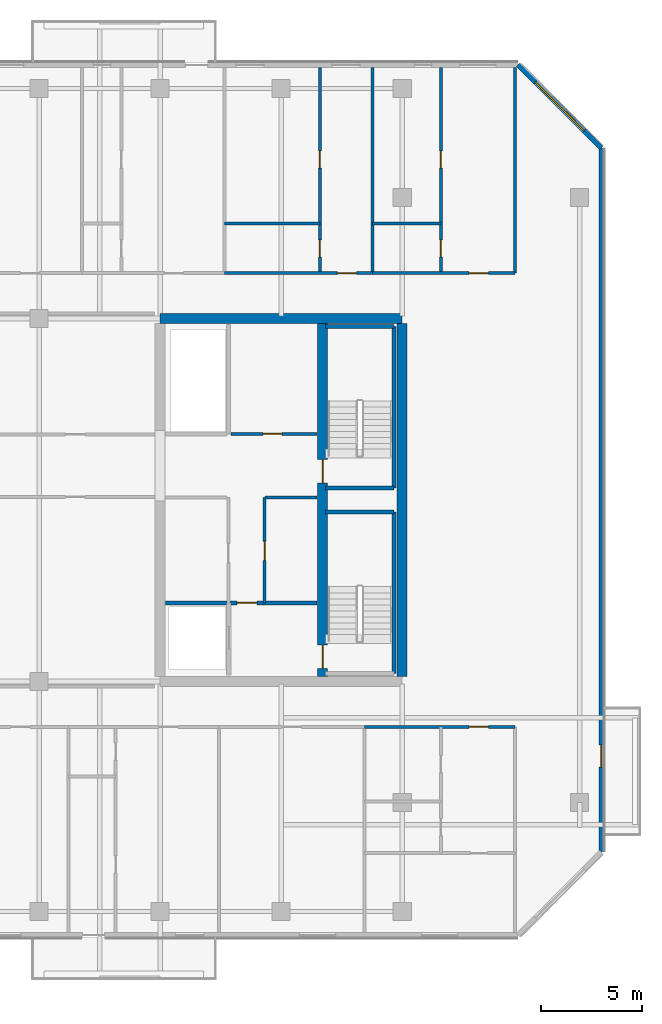
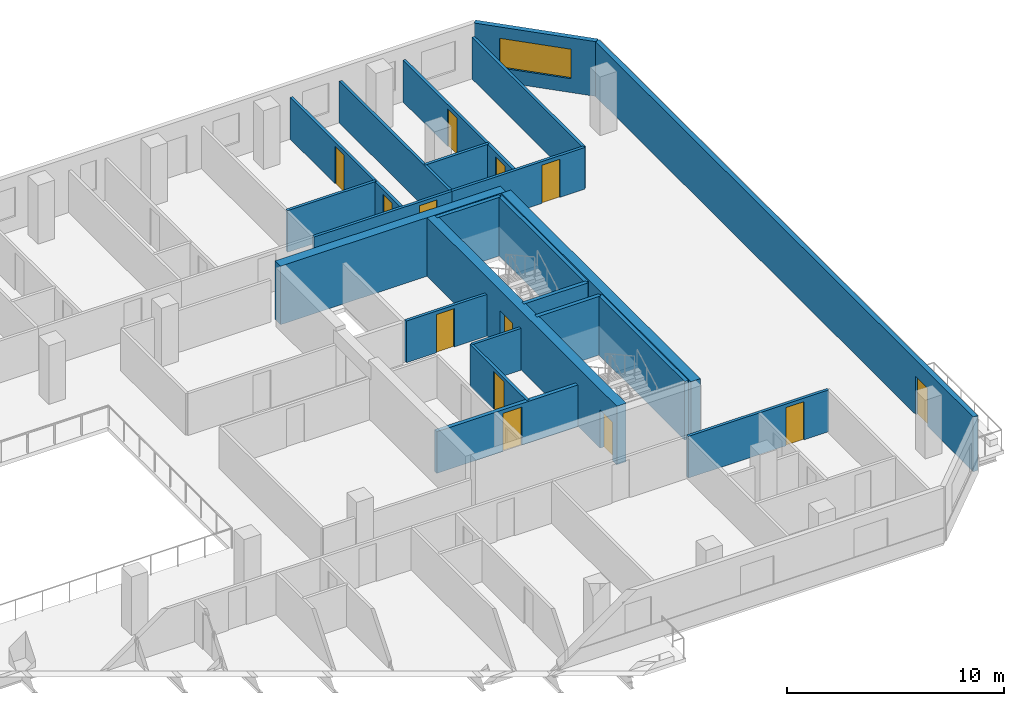
# One storey, part 14 of 19: 23 walls, 13 doors, 1 window, 14 openings.
"""IFC4 building model written with IfcOpenShell, lengths in metres."""

import ifcopenshell
import ifcopenshell.guid

model = None  # the IFC model being written
_history = None  # IfcOwnerHistory: only IFC2X3 demands one
_inside = {}  # id of a spatial element -> (the spatial element, [elements in it])
_under = {}  # id of a project, library or spatial element -> (it, [spatial elements below it])
_declared = {}  # id of a project -> (the project, [libraries it declares])
_typed = {}  # id of a type object -> (the type object, [elements of that type])
_made_of = {}  # id of a material, layer set ... -> (it, [elements and type objects made of it])


def new_model(schema):
    """Start an empty IFC model of exactly this schema.

    Asked for "IFC4X3", IfcOpenShell would pick the latest addendum, in which some entities
    have other attributes; the version numbers below select the first issue.
    IFC2X3 requires an IfcOwnerHistory on every rooted entity: one is made here for all.
    """
    global model, _history
    if schema == "IFC4X3":
        model = ifcopenshell.file(schema_version=(4, 3, 0, 0))
    else:
        model = ifcopenshell.file(schema=schema)
    _inside.clear()
    _under.clear()
    _declared.clear()
    _typed.clear()
    _made_of.clear()
    _history = None
    if model.schema == "IFC2X3":
        org = make("IfcOrganization", Name="unknown")
        user = make(
            "IfcPersonAndOrganization",
            ThePerson=make("IfcPerson", FamilyName="unknown"),
            TheOrganization=org,
        )
        app = make(
            "IfcApplication",
            ApplicationDeveloper=org,
            Version="unknown",
            ApplicationFullName="unknown",
            ApplicationIdentifier="unknown",
        )
        _history = make(
            "IfcOwnerHistory",
            OwningUser=user,
            OwningApplication=app,
            ChangeAction="ADDED",
            CreationDate=0,
        )
    return model


def make(cls, **values):
    """One entity of the class cls with the attributes given. An attribute that is None is left unset."""
    return model.create_entity(
        cls, **{name: value for name, value in values.items() if value is not None}
    )


def rooted(cls, **values):
    """An entity with a GlobalId (a new one), such as an element, a storey or a relation."""
    return make(cls, GlobalId=ifcopenshell.guid.new(), OwnerHistory=_history, **values)


def si_unit(unit_type, name, prefix=None):
    """IfcSIUnit, for example si_unit("LENGTHUNIT", "METRE", prefix="MILLI")."""
    return make("IfcSIUnit", UnitType=unit_type, Prefix=prefix, Name=name)


def assignment(units):
    """IfcUnitAssignment: the units of a project."""
    return None if units is None else make("IfcUnitAssignment", Units=units)


def point(xyz):
    """IfcCartesianPoint."""
    return None if xyz is None else make("IfcCartesianPoint", Coordinates=xyz)


def direction(xyz):
    """IfcDirection."""
    return None if xyz is None else make("IfcDirection", DirectionRatios=xyz)


def frame(location, z_axis=None, x_axis=None):
    """IfcAxis2Placement3D, a coordinate frame: its origin and axes. An axis left out is left unset."""
    return make(
        "IfcAxis2Placement3D",
        Location=point(location),
        Axis=direction(z_axis),
        RefDirection=direction(x_axis),
    )


def frame_2d(location, x_axis=None):
    """IfcAxis2Placement2D, a coordinate frame in the plane: its origin and x axis."""
    return make(
        "IfcAxis2Placement2D", Location=point(location), RefDirection=direction(x_axis)
    )


def origin():
    """The frame at (0, 0, 0) with its axes left unset."""
    return frame((0.0, 0.0, 0.0))


def place(relative_to, where):
    """IfcLocalPlacement: puts the frame where relative to a parent placement (None: the world)."""
    return make(
        "IfcLocalPlacement", PlacementRelTo=relative_to, RelativePlacement=where
    )


def context(
    kind, dimensions, precision=None, world=None, true_north=None, identifier=None
):
    """IfcGeometricRepresentationContext, for example the 3D "Model" context."""
    return make(
        "IfcGeometricRepresentationContext",
        ContextIdentifier=identifier,
        ContextType=kind,
        CoordinateSpaceDimension=dimensions,
        Precision=precision,
        WorldCoordinateSystem=world,
        TrueNorth=true_north,
    )


def subcontext(parent, identifier, kind, view, scale=None):
    """IfcGeometricRepresentationSubContext, for example "Body" below "Model"."""
    return make(
        "IfcGeometricRepresentationSubContext",
        ContextIdentifier=identifier,
        ContextType=kind,
        ParentContext=parent,
        TargetScale=scale,
        TargetView=view,
    )


def project(units=None, contexts=None):
    """IfcProject with its units and contexts."""
    return rooted(
        "IfcProject",
        Name="project",
        RepresentationContexts=contexts,
        UnitsInContext=assignment(units),
    )


def spatial(cls, under=None, at=None, **own):
    """A site, building, storey or space (cls), placed at a placement, below another one or the project."""
    s = rooted(cls, ObjectPlacement=at, **own)
    if under is not None:
        _under.setdefault(under.id(), (under, []))[1].append(s)
    return s


def profile(cls, at=None, kind="AREA", **sizes):
    """A parametric profile (cls). Its sizes go by their IFC names, for example OverallWidth=200.0."""
    return make(cls, ProfileType=kind, Position=at, **sizes)


def rectangle(**sizes):
    """IfcRectangleProfileDef."""
    return profile("IfcRectangleProfileDef", **sizes)


def extrude(swept, where, along, depth):
    """IfcExtrudedAreaSolid: the profile swept, set in the frame where, extruded along a direction by depth."""
    return make(
        "IfcExtrudedAreaSolid",
        SweptArea=swept,
        Position=where,
        ExtrudedDirection=direction(along),
        Depth=depth,
    )


def shape(context_of_items, identifier, shape_type, items):
    """IfcShapeRepresentation: the items that make up one representation, for example the "Body"."""
    return make(
        "IfcShapeRepresentation",
        ContextOfItems=context_of_items,
        RepresentationIdentifier=identifier,
        RepresentationType=shape_type,
        Items=items,
    )


def material(Name=None, Category=None):
    """IfcMaterial."""
    return make("IfcMaterial", Name=Name, Category=Category)


def layer(
    of_material, thickness, ventilated=None, Name=None, Category=None, Priority=None
):
    """IfcMaterialLayer: one layer of a wall or slab, of a material (None: an air gap)."""
    return make(
        "IfcMaterialLayer",
        Material=of_material,
        LayerThickness=thickness,
        IsVentilated=ventilated,
        Name=Name,
        Category=Category,
        Priority=Priority,
    )


def layer_set(layers, Name=None):
    """IfcMaterialLayerSet."""
    return make("IfcMaterialLayerSet", MaterialLayers=layers, LayerSetName=Name)


def made_of(thing, what):
    """Note that an element or type object is made of a material, layer set ...; save() writes the relation."""
    if what is not None:
        _made_of.setdefault(what.id(), (what, []))[1].append(thing)
    return thing


def type_object(cls, material=None, **own):
    """A type object (cls), such as IfcWallType, which elements share."""
    return made_of(rooted(cls, **own), material)


def element(
    cls,
    number,
    at=None,
    inside=None,
    cuts=None,
    type_object=None,
    material=None,
    context=None,
    identifier="Body",
    shape_type=None,
    held_by="IfcProductDefinitionShape",
    body=None,
    shapes=None,
    **own,
):
    """One element of the class cls, such as IfcWall. Its Tag is "e" and its number.

    at: its placement. inside: the storey or other place that contains it. cuts: it is an
    opening in that element (IfcRelVoidsElement). A single representation is given by context,
    identifier, shape_type and body (its items); several are given by shapes. held_by: the class
    of the entity that holds the representations. save() writes the other relations.
    """
    e = rooted(cls, Tag="e%d" % number, ObjectPlacement=at, **own)
    if body is not None:
        shapes = [shape(context, identifier, shape_type, body)]
    if shapes is not None:
        e.Representation = make(held_by, Representations=shapes)
    if inside is not None:
        _inside.setdefault(inside.id(), (inside, []))[1].append(e)
    if cuts is not None:
        rooted(
            "IfcRelVoidsElement", RelatingBuildingElement=cuts, RelatedOpeningElement=e
        )
    if type_object is not None:
        _typed.setdefault(type_object.id(), (type_object, []))[1].append(e)
    return made_of(e, material)


def fill(opening, filler):
    """IfcRelFillsElement: the door or window that sits in an opening."""
    return rooted(
        "IfcRelFillsElement",
        RelatingOpeningElement=opening,
        RelatedBuildingElement=filler,
    )


def aggregate(whole, parts):
    """IfcRelAggregates: a whole, such as a stair, and the parts it consists of."""
    return rooted("IfcRelAggregates", RelatingObject=whole, RelatedObjects=parts)


def save(model, path):
    """Write the relations noted so far, then the file.

    IfcRelAggregates (storeys below a building ...), IfcRelContainedInSpatialStructure (elements
    in a storey), IfcRelDefinesByType, IfcRelAssociatesMaterial and IfcRelDeclares: one each for
    every whole, place, type object, material and project.
    """
    for whole, parts in _under.values():
        aggregate(whole, parts)
    for where, things in _inside.values():
        rooted(
            "IfcRelContainedInSpatialStructure",
            RelatedElements=things,
            RelatingStructure=where,
        )
    for kind, things in _typed.values():
        rooted("IfcRelDefinesByType", RelatedObjects=things, RelatingType=kind)
    for what, things in _made_of.values():
        rooted("IfcRelAssociatesMaterial", RelatedObjects=things, RelatingMaterial=what)
    for by, libraries in _declared.values():
        rooted("IfcRelDeclares", RelatingContext=by, RelatedDefinitions=libraries)
    model.write(path)


model = new_model("IFC4")

# Units and contexts
model_context = context("Model", 3, precision=1e-05, world=origin(), true_north=direction((0.0, 1.0)))
body_context = subcontext(model_context, "Body", "Model", "MODEL_VIEW")
ifc_project = project(units=[si_unit("LENGTHUNIT", "METRE"), si_unit("AREAUNIT", "SQUARE_METRE"), si_unit("VOLUMEUNIT", "CUBIC_METRE"), si_unit("PLANEANGLEUNIT", "RADIAN"), si_unit("MASSUNIT", "GRAM", prefix="KILO")], contexts=[model_context])

# Site, building, storey
site_placement = place(None, origin())
site = spatial("IfcSite", under=ifc_project, at=site_placement, CompositionType="ELEMENT")
building_placement = place(site_placement, origin())
building = spatial("IfcBuilding", under=site, at=building_placement, Name="Tanjung Sevakor Pilgrim Tower", CompositionType="ELEMENT")
storey_placement = place(building_placement, frame((0.0, 0.0, 138.60009765625)))
storey = spatial("IfcBuildingStorey", under=building, at=storey_placement, Name="L38", CompositionType="ELEMENT", Elevation=138.60009765625)

# Walls
ifc_material_1 = material(Name="Concrete C60/75", Category="concrete")
ifc_layer_1 = layer(ifc_material_1, 0.5)
ifc_layer_set_1 = layer_set([ifc_layer_1], Name="WALL-CW-500")
wall_type_1 = type_object("IfcWallType", Name="WALL-CW-500", PredefinedType="SHEAR", material=ifc_layer_set_1)
wall_1_placement = place(storey_placement, frame((90.0, 42.60009765625, 0.0), z_axis=(0.0, 0.0, 1.0), x_axis=(-1.0, 0.0, 0.0)))
element("IfcWall", 1, at=wall_1_placement, inside=storey, type_object=wall_type_1, Name="L38 E Core North Shear Wall", PredefinedType="SHEAR", context=body_context, shape_type="SweptSolid", body=[
    extrude(rectangle(XDim=12.0, YDim=0.5, at=frame_2d((6.0, 0.0))), origin(), (0.0, 0.0, 1.0), 3.2998046875),
])
wall_2_placement = place(storey_placement, frame((90.0, 24.85009765625, 0.0), z_axis=(0.0, 0.0, 1.0), x_axis=(0.0, 1.0, 0.0)))
element("IfcWall", 2, at=wall_2_placement, inside=storey, type_object=wall_type_1, Name="L38 E Core Outer Shear Wall", PredefinedType="SHEAR", context=body_context, shape_type="SweptSolid", body=[
    extrude(rectangle(XDim=17.5, YDim=0.5, at=frame_2d((8.75, 0.0))), origin(), (0.0, 0.0, 1.0), 3.2998046875),
])

# Wall, openings, doors
wall_3_placement = place(storey_placement, frame((86.050048828125, 24.85009765625, 0.0), z_axis=(0.0, 0.0, 1.0), x_axis=(0.0, 1.0, 0.0)))
wall_3 = element("IfcWall", 3, at=wall_3_placement, inside=storey, type_object=wall_type_1, Name="L38 E Core Stair Spine Wall", PredefinedType="SHEAR", context=body_context, shape_type="SweptSolid", body=[
    extrude(rectangle(XDim=17.5, YDim=0.5, at=frame_2d((8.75, 0.0))), origin(), (0.0, 0.0, 1.0), 3.2998046875),
])
opening_1_placement = place(wall_3_placement, frame((0.39990234375, 0.0, 0.0)))
opening_1 = element("IfcOpeningElement", 4, at=opening_1_placement, cuts=wall_3, Name="Opening ID-ST1", PredefinedType="OPENING", context=body_context, shape_type="SweptSolid", body=[
    extrude(rectangle(XDim=1.14990234375, YDim=2.14990234375, at=frame_2d((0.574951171875, 1.074951171875))), frame((0.0, 0.260009765625, 0.0), z_axis=(0.0, -1.0, 0.0), x_axis=(1.0, 0.0, 0.0)), (0.0, 0.0, 1.0), 0.52001953125),
])
opening_2_placement = place(wall_3_placement, frame((9.60009765625, 0.0, 0.0)))
opening_2 = element("IfcOpeningElement", 5, at=opening_2_placement, cuts=wall_3, Name="Opening ID-ST1", PredefinedType="OPENING", context=body_context, shape_type="SweptSolid", body=[
    extrude(rectangle(XDim=1.14990234375, YDim=2.14990234375, at=frame_2d((0.574951171875, 1.074951171875))), frame((0.0, 0.260009765625, 0.0), z_axis=(0.0, -1.0, 0.0), x_axis=(1.0, 0.0, 0.0)), (0.0, 0.0, 1.0), 0.52001953125),
])
ifc_material_2 = material(Name="Fire-Rated Steel S355J2", Category="steel")
door_type_1 = type_object("IfcDoorType", Name="DT-FIRE-1150", OperationType="NOTDEFINED", PredefinedType="DOOR", material=ifc_material_2)
door_1_placement = place(opening_1_placement, origin())
door_1 = element("IfcDoor", 6, at=door_1_placement, inside=storey, type_object=door_type_1, Name="L38 TS-E1 Stair Fire Door", OperationType="SINGLE_SWING_RIGHT", OverallHeight=2.14990234375, OverallWidth=1.14990234375, PredefinedType="DOOR", context=body_context, shape_type="SweptSolid", body=[
    extrude(rectangle(XDim=1.14990234375, YDim=2.14990234375, at=frame_2d((0.574951171875, 1.074951171875))), frame((0.0, 0.02490234375, 0.0), z_axis=(0.0, -1.0, 0.0), x_axis=(1.0, 0.0, 0.0)), (0.0, 0.0, 1.0), 0.050048828125),
])
fill(opening_1, door_1)
door_2_placement = place(opening_2_placement, origin())
door_2 = element("IfcDoor", 7, at=door_2_placement, inside=storey, type_object=door_type_1, Name="L38 TS-E2 Stair Fire Door", OperationType="SINGLE_SWING_LEFT", OverallHeight=2.14990234375, OverallWidth=1.14990234375, PredefinedType="DOOR", context=body_context, shape_type="SweptSolid", body=[
    extrude(rectangle(XDim=1.14990234375, YDim=2.14990234375, at=frame_2d((0.574951171875, 1.074951171875))), frame((0.0, 0.02490234375, 0.0), z_axis=(0.0, -1.0, 0.0), x_axis=(1.0, 0.0, 0.0)), (0.0, 0.0, 1.0), 0.050048828125),
])
fill(opening_2, door_2)

# Wall
ifc_material_3 = material(Name="Concrete C40/50", Category="concrete")
ifc_layer_2 = layer(ifc_material_3, 0.14990234375)
ifc_layer_set_2 = layer_set([ifc_layer_2], Name="WT-COMP-150")
wall_type_2 = type_object("IfcWallType", Name="WT-COMP-150", PredefinedType="SOLIDWALL", material=ifc_layer_set_2)
wall_4_placement = place(storey_placement, frame((83.199951171875, 33.719970703125, 0.0), z_axis=(0.0, 0.0, 1.0), x_axis=(1.0, 0.0, 0.0)))
element("IfcWall", 8, at=wall_4_placement, inside=storey, type_object=wall_type_2, Name="L38 Partition IW-L38-012", PredefinedType="SOLIDWALL", context=body_context, shape_type="SweptSolid", body=[
    extrude(rectangle(XDim=2.580078125, YDim=0.14990234375, at=frame_2d((1.2900390625, 0.0))), origin(), (0.0, 0.0, 1.0), 2.35009765625),
])

# Wall, opening, door
wall_5_placement = place(storey_placement, frame((83.179931640625, 28.5, 0.0), z_axis=(0.0, 0.0, 1.0), x_axis=(0.0, 1.0, 0.0)))
wall_5 = element("IfcWall", 9, at=wall_5_placement, inside=storey, type_object=wall_type_2, Name="L38 Partition IW-L38-013", PredefinedType="SOLIDWALL", context=body_context, shape_type="SweptSolid", body=[
    extrude(rectangle(XDim=5.219970703125, YDim=0.14990234375, at=frame_2d((2.60986328125, 0.0))), origin(), (0.0, 0.0, 1.0), 2.35009765625),
])
opening_3_placement = place(wall_5_placement, frame((2.10009765625, 0.0, 0.0)))
opening_3 = element("IfcOpeningElement", 10, at=opening_3_placement, cuts=wall_5, Name="Opening ID-FD2", PredefinedType="OPENING", context=body_context, shape_type="SweptSolid", body=[
    extrude(rectangle(XDim=0.949951171875, YDim=2.14990234375, at=frame_2d((0.47509765625, 1.074951171875))), frame((0.0, 0.0849609375, 0.0), z_axis=(0.0, -1.0, 0.0), x_axis=(1.0, 0.0, 0.0)), (0.0, 0.0, 1.0), 0.169921875),
])
ifc_material_4 = material(Name="Fire-Rated Timber", Category="wood")
door_type_2 = type_object("IfcDoorType", Name="DT-FIRE-950", OperationType="NOTDEFINED", PredefinedType="DOOR", material=ifc_material_4)
door_3_placement = place(opening_3_placement, origin())
door_3 = element("IfcDoor", 11, at=door_3_placement, inside=storey, type_object=door_type_2, Name="L38 Housekeeping Pantry Door", OperationType="SINGLE_SWING_RIGHT", OverallHeight=2.14990234375, OverallWidth=0.949951171875, PredefinedType="DOOR", context=body_context, shape_type="SweptSolid", body=[
    extrude(rectangle(XDim=0.949951171875, YDim=2.14990234375, at=frame_2d((0.47509765625, 1.074951171875))), frame((0.0, 0.02490234375, 0.0), z_axis=(0.0, -1.0, 0.0), x_axis=(1.0, 0.0, 0.0)), (0.0, 0.0, 1.0), 0.050048828125),
])
fill(opening_3, door_3)

wall_6_placement = place(storey_placement, frame((81.5, 36.8798828125, 0.0), z_axis=(0.0, 0.0, 1.0), x_axis=(1.0, 0.0, 0.0)))
wall_6 = element("IfcWall", 12, at=wall_6_placement, inside=storey, type_object=wall_type_2, Name="L38 Partition IW-L38-016", PredefinedType="SOLIDWALL", context=body_context, shape_type="SweptSolid", body=[
    extrude(rectangle(XDim=4.280029296875, YDim=0.14990234375, at=frame_2d((2.14013671875, 0.0))), origin(), (0.0, 0.0, 1.0), 2.35009765625),
])
opening_4_placement = place(wall_6_placement, frame((1.60009765625, 0.0, 0.0)))
opening_4 = element("IfcOpeningElement", 13, at=opening_4_placement, cuts=wall_6, Name="Opening ID-FD2", PredefinedType="OPENING", context=body_context, shape_type="SweptSolid", body=[
    extrude(rectangle(XDim=0.949951171875, YDim=2.14990234375, at=frame_2d((0.47509765625, 1.074951171875))), frame((0.0, 0.0849609375, 0.0), z_axis=(0.0, -1.0, 0.0), x_axis=(1.0, 0.0, 0.0)), (0.0, 0.0, 1.0), 0.169921875),
])
door_4_placement = place(opening_4_placement, origin())
door_4 = element("IfcDoor", 14, at=door_4_placement, inside=storey, type_object=door_type_2, Name="L38 Core Prayer Room Door", OperationType="SINGLE_SWING_RIGHT", OverallHeight=2.14990234375, OverallWidth=0.949951171875, PredefinedType="DOOR", context=body_context, shape_type="SweptSolid", body=[
    extrude(rectangle(XDim=0.949951171875, YDim=2.14990234375, at=frame_2d((0.47509765625, 1.074951171875))), frame((0.0, 0.02490234375, 0.0), z_axis=(0.0, -1.0, 0.0), x_axis=(1.0, 0.0, 0.0)), (0.0, 0.0, 1.0), 0.050048828125),
])
fill(opening_4, door_4)

wall_7_placement = place(storey_placement, frame((88.12255859375, 22.35009765625, 0.0), z_axis=(0.0, 0.0, 1.0), x_axis=(1.0, 0.0, 0.0)))
wall_7 = element("IfcWall", 15, at=wall_7_placement, inside=storey, type_object=wall_type_2, Name="L38 Partition IW-L38-067", PredefinedType="SOLIDWALL", context=body_context, shape_type="SweptSolid", body=[
    extrude(rectangle(XDim=7.4775390625, YDim=0.14990234375, at=frame_2d((3.73876953125, 0.0))), origin(), (0.0, 0.0, 1.0), 2.35009765625),
])
opening_5_placement = place(wall_7_placement, frame((5.202392578125, 0.0, 0.0)))
opening_5 = element("IfcOpeningElement", 16, at=opening_5_placement, cuts=wall_7, Name="Opening ID-FD2", PredefinedType="OPENING", context=body_context, shape_type="SweptSolid", body=[
    extrude(rectangle(XDim=0.949951171875, YDim=2.14990234375, at=frame_2d((0.47509765625, 1.074951171875))), frame((0.0, 0.0849609375, 0.0), z_axis=(0.0, -1.0, 0.0), x_axis=(1.0, 0.0, 0.0)), (0.0, 0.0, 1.0), 0.169921875),
])
door_5_placement = place(opening_5_placement, origin())
door_5 = element("IfcDoor", 17, at=door_5_placement, inside=storey, type_object=door_type_2, Name="Residence Entrance", OperationType="SINGLE_SWING_LEFT", OverallHeight=2.14990234375, OverallWidth=0.949951171875, PredefinedType="DOOR", context=body_context, shape_type="SweptSolid", body=[
    extrude(rectangle(XDim=0.949951171875, YDim=2.14990234375, at=frame_2d((0.47509765625, 1.074951171875))), frame((0.0, 0.02490234375, 0.0), z_axis=(0.0, -1.0, 0.0), x_axis=(1.0, 0.0, 0.0)), (0.0, 0.0, 1.0), 0.050048828125),
])
fill(opening_5, door_5)

# Walls
for number, where, z_axis, x_axis, name in (
    (18, (95.60009765625, 44.85009765625, 0.0), (0.0, 0.0, 1.0), (0.0, 1.0, 0.0), "L38 Partition IW-L38-078"),
    (19, (88.534423828125, 44.85009765625, 0.0), (0.0, 0.0, 1.0), (0.0, 1.0, 0.0), "L38 Partition IW-L38-093"),
):
    element("IfcWall", number, at=place(storey_placement, frame(where, z_axis=z_axis, x_axis=x_axis)), inside=storey, type_object=wall_type_2, Name=name, PredefinedType="SOLIDWALL", context=body_context, shape_type="SweptSolid", body=[
        extrude(rectangle(XDim=10.199951171875, YDim=0.14990234375, at=frame_2d((5.10009765625, 0.0))), origin(), (0.0, 0.0, 1.0), 2.35009765625),
    ])

# Wall, opening, door
wall_8_placement = place(storey_placement, frame((81.197265625, 44.85009765625, 0.0), z_axis=(0.0, 0.0, 1.0), x_axis=(1.0, 0.0, 0.0)))
wall_8 = element("IfcWall", 20, at=wall_8_placement, inside=storey, type_object=wall_type_2, Name="L38 Partition IW-L38-096", PredefinedType="SOLIDWALL", context=body_context, shape_type="SweptSolid", body=[
    extrude(rectangle(XDim=7.337158203125, YDim=0.14990234375, at=frame_2d((3.66845703125, 0.0))), origin(), (0.0, 0.0, 1.0), 2.35009765625),
])
opening_6_placement = place(wall_8_placement, frame((5.594970703125, 0.0, 0.0)))
opening_6 = element("IfcOpeningElement", 21, at=opening_6_placement, cuts=wall_8, Name="Opening ID-FD2", PredefinedType="OPENING", context=body_context, shape_type="SweptSolid", body=[
    extrude(rectangle(XDim=0.949951171875, YDim=2.14990234375, at=frame_2d((0.47509765625, 1.074951171875))), frame((0.0, 0.0849609375, 0.0), z_axis=(0.0, -1.0, 0.0), x_axis=(1.0, 0.0, 0.0)), (0.0, 0.0, 1.0), 0.169921875),
])
door_6_placement = place(opening_6_placement, origin())
door_6 = element("IfcDoor", 22, at=door_6_placement, inside=storey, type_object=door_type_2, Name="Hostel Quad Entrance", OperationType="SINGLE_SWING_RIGHT", OverallHeight=2.14990234375, OverallWidth=0.949951171875, PredefinedType="DOOR", context=body_context, shape_type="SweptSolid", body=[
    extrude(rectangle(XDim=0.949951171875, YDim=2.14990234375, at=frame_2d((0.47509765625, 1.074951171875))), frame((0.0, 0.02490234375, 0.0), z_axis=(0.0, -1.0, 0.0), x_axis=(1.0, 0.0, 0.0)), (0.0, 0.0, 1.0), 0.050048828125),
])
fill(opening_6, door_6)

wall_9_placement = place(storey_placement, frame((88.534423828125, 44.85009765625, 0.0), z_axis=(0.0, 0.0, 1.0), x_axis=(1.0, 0.0, 0.0)))
wall_9 = element("IfcWall", 23, at=wall_9_placement, inside=storey, type_object=wall_type_2, Name="L38 Partition IW-L38-099", PredefinedType="SOLIDWALL", context=body_context, shape_type="SweptSolid", body=[
    extrude(rectangle(XDim=7.065673828125, YDim=0.14990234375, at=frame_2d((3.53271484375, 0.0))), origin(), (0.0, 0.0, 1.0), 2.35009765625),
])
opening_7_placement = place(wall_9_placement, frame((4.79052734375, 0.0, 0.0)))
opening_7 = element("IfcOpeningElement", 24, at=opening_7_placement, cuts=wall_9, Name="Opening ID-FD2", PredefinedType="OPENING", context=body_context, shape_type="SweptSolid", body=[
    extrude(rectangle(XDim=0.949951171875, YDim=2.14990234375, at=frame_2d((0.47509765625, 1.074951171875))), frame((0.0, 0.0849609375, 0.0), z_axis=(0.0, -1.0, 0.0), x_axis=(1.0, 0.0, 0.0)), (0.0, 0.0, 1.0), 0.169921875),
])
door_7_placement = place(opening_7_placement, origin())
door_7 = element("IfcDoor", 25, at=door_7_placement, inside=storey, type_object=door_type_2, Name="Hostel Quad Entrance", OperationType="SINGLE_SWING_LEFT", OverallHeight=2.14990234375, OverallWidth=0.949951171875, PredefinedType="DOOR", context=body_context, shape_type="SweptSolid", body=[
    extrude(rectangle(XDim=0.949951171875, YDim=2.14990234375, at=frame_2d((0.47509765625, 1.074951171875))), frame((0.0, 0.02490234375, 0.0), z_axis=(0.0, -1.0, 0.0), x_axis=(1.0, 0.0, 0.0)), (0.0, 0.0, 1.0), 0.050048828125),
])
fill(opening_7, door_7)

ifc_material_5 = material(Name="Precast concrete C45/55", Category="concrete")
ifc_layer_3 = layer(ifc_material_5, 0.25)
ifc_layer_set_3 = layer_set([ifc_layer_3], Name="WT-EW-STN3")
wall_type_3 = type_object("IfcWallType", Name="WT-EW-STN3", PredefinedType="SOLIDWALL", material=ifc_layer_set_3)
wall_10_placement = place(storey_placement, frame((99.875, 16.15185546875, 0.0), z_axis=(0.0, 0.0, 1.0), x_axis=(0.0, 1.0, 0.0)))
wall_10 = element("IfcWall", 26, at=wall_10_placement, inside=storey, type_object=wall_type_3, Name="L38 MAIN Exterior Wall 7", PredefinedType="SOLIDWALL", context=body_context, shape_type="SweptSolid", body=[
    extrude(rectangle(XDim=34.896240234375, YDim=0.25, at=frame_2d((17.4482421875, 0.0))), origin(), (0.0, 0.0, 1.0), 3.080078125),
])
opening_8_placement = place(wall_10_placement, frame((4.1982421875, 0.0, 0.0)))
opening_8 = element("IfcOpeningElement", 27, at=opening_8_placement, cuts=wall_10, Name="Opening ED-BAL-1100", PredefinedType="OPENING", context=body_context, shape_type="SweptSolid", body=[
    extrude(rectangle(XDim=1.10009765625, YDim=2.14990234375, at=frame_2d((0.550048828125, 1.074951171875))), frame((0.0, 0.135009765625, 0.0), z_axis=(0.0, -1.0, 0.0), x_axis=(1.0, 0.0, 0.0)), (0.0, 0.0, 1.0), 0.27001953125),
])
ifc_material_6 = material(Name="Anodised Aluminium and Laminated Glass", Category="aluminium")
door_type_3 = type_object("IfcDoorType", Name="DTYP-ED-BAL-1100", OperationType="NOTDEFINED", PredefinedType="DOOR", material=ifc_material_6)
door_8_placement = place(opening_8_placement, frame((1.10009765625, 0.0, 0.0), z_axis=(0.0, 0.0, 1.0), x_axis=(-1.0, 0.0, 0.0)))
door_8 = element("IfcDoor", 28, at=door_8_placement, inside=storey, type_object=door_type_3, Name="L38 East Loggia Door MAIN-E1", OperationType="SINGLE_SWING_LEFT", OverallHeight=2.14990234375, OverallWidth=1.10009765625, PredefinedType="DOOR", context=body_context, shape_type="SweptSolid", body=[
    extrude(rectangle(XDim=1.10009765625, YDim=2.14990234375, at=frame_2d((0.550048828125, 1.074951171875))), frame((0.0, 0.02490234375, 0.0), z_axis=(0.0, -1.0, 0.0), x_axis=(1.0, 0.0, 0.0)), (0.0, 0.0, 1.0), 0.050048828125),
])
fill(opening_8, door_8)

# Wall, opening, window
wall_11_placement = place(storey_placement, frame((99.875, 51.048095703125, 0.0), z_axis=(0.0, 0.0, 1.0), x_axis=(-0.70708586489, 0.707127696864, 0.0)))
wall_11 = element("IfcWall", 29, at=wall_11_placement, inside=storey, type_object=wall_type_3, Name="L38 MAIN Sculpted Corner Wall 7", PredefinedType="SOLIDWALL", context=body_context, shape_type="SweptSolid", body=[
    extrude(rectangle(XDim=5.836181640625, YDim=0.25, at=frame_2d((2.91796875, 0.0))), origin(), (0.0, 0.0, 1.0), 3.080078125),
])
opening_9_placement = place(wall_11_placement, frame((1.218017578125, 0.0, 0.780029296875)))
opening_9 = element("IfcOpeningElement", 30, at=opening_9_placement, cuts=wall_11, Name="Opening WN-CHM-1660", PredefinedType="OPENING", context=body_context, shape_type="SweptSolid", body=[
    extrude(rectangle(XDim=3.39990234375, YDim=1.659912109375, at=frame_2d((1.699951171875, 0.830078125))), frame((0.0, 0.135009765625, 0.0), z_axis=(0.0, -1.0, 0.0), x_axis=(1.0, 0.0, 0.0)), (0.0, 0.0, 1.0), 0.27001953125),
])
ifc_material_7 = material(Name="Thermally Broken Aluminium and Low-E Glass", Category="aluminium")
window_type = type_object("IfcWindowType", Name="WTYP-WN-CHM-1660", PartitioningType="DOUBLE_PANEL_VERTICAL", PredefinedType="WINDOW", material=ifc_material_7)
window_placement = place(opening_9_placement, origin())
window = element("IfcWindow", 31, at=window_placement, inside=storey, type_object=window_type, Name="L38 Facade Window 01", OverallHeight=1.659912109375, OverallWidth=3.39990234375, PartitioningType="SINGLE_PANEL", PredefinedType="WINDOW", context=body_context, shape_type="SweptSolid", body=[
    extrude(rectangle(XDim=3.39990234375, YDim=1.659912109375, at=frame_2d((1.699951171875, 0.830078125))), frame((0.0, 0.030029296875, 0.0), z_axis=(0.0, -1.0, 0.0), x_axis=(1.0, 0.0, 0.0)), (0.0, 0.0, 1.0), 0.06005859375),
])
fill(opening_9, window)

# Walls
ifc_material_8 = material(Name="Concrete C40/50", Category="concrete")
ifc_layer_4 = layer(ifc_material_8, 0.199951171875)
ifc_layer_set_4 = layer_set([ifc_layer_4], Name="WT-FIRE-200")
wall_type_4 = type_object("IfcWallType", Name="WT-FIRE-200", PredefinedType="SOLIDWALL", material=ifc_layer_set_4)
wall_12_placement = place(storey_placement, frame((89.60009765625, 25.0, 0.0), z_axis=(0.0, 0.0, 1.0), x_axis=(0.0, 1.0, 0.0)))
element("IfcWall", 32, at=wall_12_placement, inside=storey, type_object=wall_type_4, Name="L38 TS-E1 Shaft Wall 2", PredefinedType="SOLIDWALL", context=body_context, shape_type="SweptSolid", body=[
    extrude(rectangle(XDim=8.0, YDim=0.199951171875, at=frame_2d((4.0, 0.0))), origin(), (0.0, 0.0, 1.0), 3.2998046875),
])
for number, where, z_axis, x_axis, name in (
    (33, (89.60009765625, 33.0, 0.0), (0.0, 0.0, 1.0), (-1.0, 0.0, 0.0), "L38 TS-E1 Shaft Wall 3"),
    (34, (86.199951171875, 34.199951171875, 0.0), (0.0, 0.0, 1.0), (1.0, 0.0, 0.0), "L38 TS-E2 Shaft Wall 1"),
):
    element("IfcWall", number, at=place(storey_placement, frame(where, z_axis=z_axis, x_axis=x_axis)), inside=storey, type_object=wall_type_4, Name=name, PredefinedType="SOLIDWALL", context=body_context, shape_type="SweptSolid", body=[
        extrude(rectangle(XDim=3.400146484375, YDim=0.199951171875, at=frame_2d((1.7001953125, 0.0))), origin(), (0.0, 0.0, 1.0), 3.2998046875),
    ])
wall_13_placement = place(storey_placement, frame((89.60009765625, 34.199951171875, 0.0), z_axis=(0.0, 0.0, 1.0), x_axis=(0.0, 1.0, 0.0)))
element("IfcWall", 35, at=wall_13_placement, inside=storey, type_object=wall_type_4, Name="L38 TS-E2 Shaft Wall 2", PredefinedType="SOLIDWALL", context=body_context, shape_type="SweptSolid", body=[
    extrude(rectangle(XDim=8.0, YDim=0.199951171875, at=frame_2d((4.0, 0.0))), origin(), (0.0, 0.0, 1.0), 3.2998046875),
])
wall_14_placement = place(storey_placement, frame((89.60009765625, 42.199951171875, 0.0), z_axis=(0.0, 0.0, 1.0), x_axis=(-1.0, 0.0, 0.0)))
element("IfcWall", 36, at=wall_14_placement, inside=storey, type_object=wall_type_4, Name="L38 TS-E2 Shaft Wall 3", PredefinedType="SOLIDWALL", context=body_context, shape_type="SweptSolid", body=[
    extrude(rectangle(XDim=3.400146484375, YDim=0.199951171875, at=frame_2d((1.7001953125, 0.0))), origin(), (0.0, 0.0, 1.0), 3.2998046875),
])

# Wall, opening, door
ifc_material_9 = material(Name="Concrete C40/50", Category="concrete")
ifc_layer_5 = layer(ifc_material_9, 0.199951171875)
ifc_layer_set_5 = layer_set([ifc_layer_5], Name="WT-FPRT-200")
wall_type_5 = type_object("IfcWallType", Name="WT-FPRT-200", PredefinedType="SOLIDWALL", material=ifc_layer_set_5)
wall_15_placement = place(storey_placement, frame((78.27001953125, 28.5, 0.0), z_axis=(0.0, 0.0, 1.0), x_axis=(1.0, 0.0, 0.0)))
wall_15 = element("IfcWall", 37, at=wall_15_placement, inside=storey, type_object=wall_type_5, Name="L38 Partition IW-L38-011", PredefinedType="SOLIDWALL", context=body_context, shape_type="SweptSolid", body=[
    extrude(rectangle(XDim=7.510009765625, YDim=0.199951171875, at=frame_2d((3.7548828125, 0.0))), origin(), (0.0, 0.0, 1.0), 2.35009765625),
])
opening_10_placement = place(wall_15_placement, frame((3.530029296875, 0.0, 0.0)))
opening_10 = element("IfcOpeningElement", 38, at=opening_10_placement, cuts=wall_15, Name="Opening ID-FD1", PredefinedType="OPENING", context=body_context, shape_type="SweptSolid", body=[
    extrude(rectangle(XDim=1.0, YDim=2.14990234375, at=frame_2d((0.5, 1.074951171875))), frame((0.0, 0.10986328125, 0.0), z_axis=(0.0, -1.0, 0.0), x_axis=(1.0, 0.0, 0.0)), (0.0, 0.0, 1.0), 0.219970703125),
])
ifc_material_10 = material(Name="Fire-Rated Steel S355J2", Category="steel")
door_type_4 = type_object("IfcDoorType", Name="DT-FIRE-1000", OperationType="NOTDEFINED", PredefinedType="DOOR", material=ifc_material_10)
door_9_placement = place(opening_10_placement, origin())
door_9 = element("IfcDoor", 39, at=door_9_placement, inside=storey, type_object=door_type_4, Name="Fire Lobby Door E", OperationType="SINGLE_SWING_LEFT", OverallHeight=2.14990234375, OverallWidth=1.0, PredefinedType="DOOR", context=body_context, shape_type="SweptSolid", body=[
    extrude(rectangle(XDim=1.0, YDim=2.14990234375, at=frame_2d((0.5, 1.074951171875))), frame((0.0, 0.02490234375, 0.0), z_axis=(0.0, -1.0, 0.0), x_axis=(1.0, 0.0, 0.0)), (0.0, 0.0, 1.0), 0.050048828125),
])
fill(opening_10, door_9)

# Wall
ifc_material_11 = material(Name="Gypsum Board Partition", Category="gypsum board")
ifc_layer_6 = layer(ifc_material_11, 0.14990234375)
ifc_layer_set_6 = layer_set([ifc_layer_6], Name="WT-PART-150")
wall_type_6 = type_object("IfcWallType", Name="WT-PART-150", PredefinedType="PARTITIONING", material=ifc_layer_set_6)
wall_16_placement = place(storey_placement, frame((81.197265625, 47.300048828125, 0.0), z_axis=(0.0, 0.0, 1.0), x_axis=(1.0, 0.0, 0.0)))
element("IfcWall", 40, at=wall_16_placement, inside=storey, type_object=wall_type_6, Name="L38 Partition IW-L38-094", PredefinedType="PARTITIONING", context=body_context, shape_type="SweptSolid", body=[
    extrude(rectangle(XDim=4.72265625, YDim=0.14990234375, at=frame_2d((2.361328125, 0.0))), origin(), (0.0, 0.0, 1.0), 2.35009765625),
])

# Wall, openings, doors
wall_17_placement = place(storey_placement, frame((85.919921875, 44.85009765625, 0.0), z_axis=(0.0, 0.0, 1.0), x_axis=(0.0, 1.0, 0.0)))
wall_17 = element("IfcWall", 41, at=wall_17_placement, inside=storey, type_object=wall_type_6, Name="L38 Partition IW-L38-095", PredefinedType="PARTITIONING", context=body_context, shape_type="SweptSolid", body=[
    extrude(rectangle(XDim=10.199951171875, YDim=0.14990234375, at=frame_2d((5.10009765625, 0.0))), origin(), (0.0, 0.0, 1.0), 2.35009765625),
])
opening_11_placement = place(wall_17_placement, frame((0.800048828125, 0.0, 0.0)))
opening_11 = element("IfcOpeningElement", 42, at=opening_11_placement, cuts=wall_17, Name="Opening ID-WC1", PredefinedType="OPENING", context=body_context, shape_type="SweptSolid", body=[
    extrude(rectangle(XDim=0.85009765625, YDim=2.10009765625, at=frame_2d((0.425048828125, 1.050048828125))), frame((0.0, 0.0849609375, 0.0), z_axis=(0.0, -1.0, 0.0), x_axis=(1.0, 0.0, 0.0)), (0.0, 0.0, 1.0), 0.169921875),
])
opening_12_placement = place(wall_17_placement, frame((5.2099609375, 0.0, 0.0)))
opening_12 = element("IfcOpeningElement", 43, at=opening_12_placement, cuts=wall_17, Name="Opening ID-WC1", PredefinedType="OPENING", context=body_context, shape_type="SweptSolid", body=[
    extrude(rectangle(XDim=0.85009765625, YDim=2.10009765625, at=frame_2d((0.425048828125, 1.050048828125))), frame((0.0, 0.0849609375, 0.0), z_axis=(0.0, -1.0, 0.0), x_axis=(1.0, 0.0, 0.0)), (0.0, 0.0, 1.0), 0.169921875),
])
ifc_material_12 = material(Name="Moisture-Resistant Timber", Category="wood")
door_type_5 = type_object("IfcDoorType", Name="DT-INT-850", OperationType="NOTDEFINED", PredefinedType="DOOR", material=ifc_material_12)
door_10_placement = place(opening_11_placement, origin())
door_10 = element("IfcDoor", 44, at=door_10_placement, inside=storey, type_object=door_type_5, Name="Bathroom Door", OperationType="SINGLE_SWING_RIGHT", OverallHeight=2.10009765625, OverallWidth=0.85009765625, PredefinedType="DOOR", context=body_context, shape_type="SweptSolid", body=[
    extrude(rectangle(XDim=0.85009765625, YDim=2.10009765625, at=frame_2d((0.425048828125, 1.050048828125))), frame((0.0, 0.02490234375, 0.0), z_axis=(0.0, -1.0, 0.0), x_axis=(1.0, 0.0, 0.0)), (0.0, 0.0, 1.0), 0.050048828125),
])
fill(opening_11, door_10)
door_11_placement = place(opening_12_placement, origin())
door_11 = element("IfcDoor", 45, at=door_11_placement, inside=storey, type_object=door_type_5, Name="Study Nook Door", OperationType="SINGLE_SWING_LEFT", OverallHeight=2.10009765625, OverallWidth=0.85009765625, PredefinedType="DOOR", context=body_context, shape_type="SweptSolid", body=[
    extrude(rectangle(XDim=0.85009765625, YDim=2.10009765625, at=frame_2d((0.425048828125, 1.050048828125))), frame((0.0, 0.02490234375, 0.0), z_axis=(0.0, -1.0, 0.0), x_axis=(1.0, 0.0, 0.0)), (0.0, 0.0, 1.0), 0.050048828125),
])
fill(opening_12, door_11)

# Wall
wall_18_placement = place(storey_placement, frame((88.534423828125, 47.300048828125, 0.0), z_axis=(0.0, 0.0, 1.0), x_axis=(1.0, 0.0, 0.0)))
element("IfcWall", 46, at=wall_18_placement, inside=storey, type_object=wall_type_6, Name="L38 Partition IW-L38-097", PredefinedType="PARTITIONING", context=body_context, shape_type="SweptSolid", body=[
    extrude(rectangle(XDim=3.385498046875, YDim=0.14990234375, at=frame_2d((1.69287109375, 0.0))), origin(), (0.0, 0.0, 1.0), 2.35009765625),
])

# Wall, openings, doors
wall_19_placement = place(storey_placement, frame((91.919921875, 44.85009765625, 0.0), z_axis=(0.0, 0.0, 1.0), x_axis=(0.0, 1.0, 0.0)))
wall_19 = element("IfcWall", 47, at=wall_19_placement, inside=storey, type_object=wall_type_6, Name="L38 Partition IW-L38-098", PredefinedType="PARTITIONING", context=body_context, shape_type="SweptSolid", body=[
    extrude(rectangle(XDim=10.199951171875, YDim=0.14990234375, at=frame_2d((5.10009765625, 0.0))), origin(), (0.0, 0.0, 1.0), 2.35009765625),
])
opening_13_placement = place(wall_19_placement, frame((0.800048828125, 0.0, 0.0)))
opening_13 = element("IfcOpeningElement", 48, at=opening_13_placement, cuts=wall_19, Name="Opening ID-WC1", PredefinedType="OPENING", context=body_context, shape_type="SweptSolid", body=[
    extrude(rectangle(XDim=0.85009765625, YDim=2.10009765625, at=frame_2d((0.425048828125, 1.050048828125))), frame((0.0, 0.0849609375, 0.0), z_axis=(0.0, -1.0, 0.0), x_axis=(1.0, 0.0, 0.0)), (0.0, 0.0, 1.0), 0.169921875),
])
opening_14_placement = place(wall_19_placement, frame((5.2099609375, 0.0, 0.0)))
opening_14 = element("IfcOpeningElement", 49, at=opening_14_placement, cuts=wall_19, Name="Opening ID-WC1", PredefinedType="OPENING", context=body_context, shape_type="SweptSolid", body=[
    extrude(rectangle(XDim=0.85009765625, YDim=2.10009765625, at=frame_2d((0.425048828125, 1.050048828125))), frame((0.0, 0.0849609375, 0.0), z_axis=(0.0, -1.0, 0.0), x_axis=(1.0, 0.0, 0.0)), (0.0, 0.0, 1.0), 0.169921875),
])
door_12_placement = place(opening_13_placement, origin())
door_12 = element("IfcDoor", 50, at=door_12_placement, inside=storey, type_object=door_type_5, Name="Bathroom Door", OperationType="SINGLE_SWING_LEFT", OverallHeight=2.10009765625, OverallWidth=0.85009765625, PredefinedType="DOOR", context=body_context, shape_type="SweptSolid", body=[
    extrude(rectangle(XDim=0.85009765625, YDim=2.10009765625, at=frame_2d((0.425048828125, 1.050048828125))), frame((0.0, 0.02490234375, 0.0), z_axis=(0.0, -1.0, 0.0), x_axis=(1.0, 0.0, 0.0)), (0.0, 0.0, 1.0), 0.050048828125),
])
fill(opening_13, door_12)
door_13_placement = place(opening_14_placement, origin())
door_13 = element("IfcDoor", 51, at=door_13_placement, inside=storey, type_object=door_type_5, Name="Study Nook Door", OperationType="SINGLE_SWING_RIGHT", OverallHeight=2.10009765625, OverallWidth=0.85009765625, PredefinedType="DOOR", context=body_context, shape_type="SweptSolid", body=[
    extrude(rectangle(XDim=0.85009765625, YDim=2.10009765625, at=frame_2d((0.425048828125, 1.050048828125))), frame((0.0, 0.02490234375, 0.0), z_axis=(0.0, -1.0, 0.0), x_axis=(1.0, 0.0, 0.0)), (0.0, 0.0, 1.0), 0.050048828125),
])
fill(opening_14, door_13)

save(model, "model.ifc")
